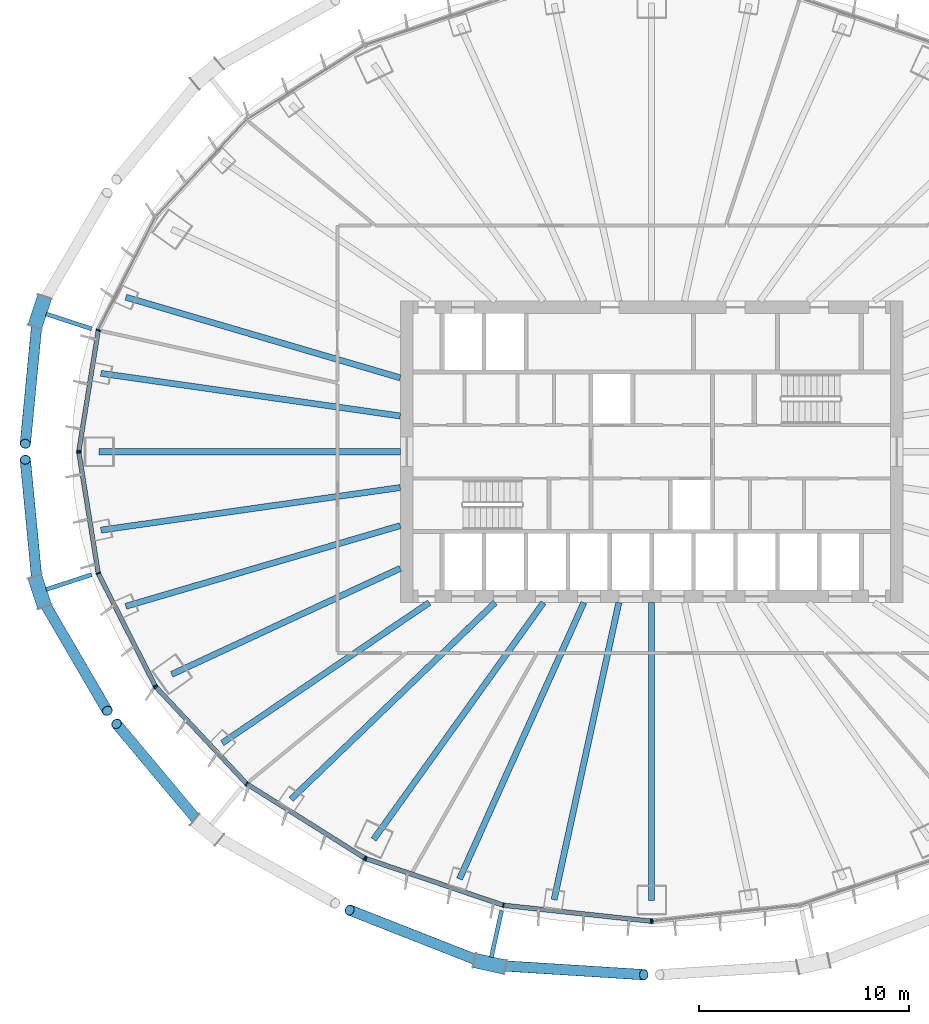
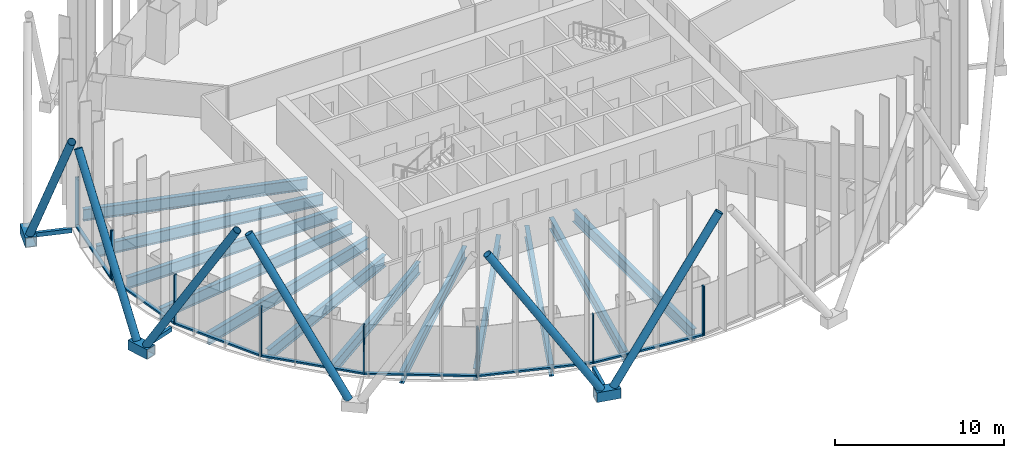
# One storey, part 2 of 19: 31 members, 12 beams, 5 elements without a shape of their own.
"""IFC4 building model written with IfcOpenShell, lengths in metres."""

from ifc_helpers import new_model, si_unit, direction, frame, origin, origin_2d, place, context, subcontext, project, spatial, rectangle, hollow_rectangle, hollow_circle, i_section, extrude, material, layer, layer_set, material_profile, profile_set, type_object, element, aggregate, save


model = new_model("IFC4")

# Units and contexts
model_context = context("Model", 3, precision=1e-05, world=origin(), true_north=direction((0.0, 1.0)))
body_context = subcontext(model_context, "Body", "Model", "MODEL_VIEW")
ifc_project = project(units=[si_unit("LENGTHUNIT", "METRE"), si_unit("AREAUNIT", "SQUARE_METRE"), si_unit("VOLUMEUNIT", "CUBIC_METRE"), si_unit("PLANEANGLEUNIT", "RADIAN"), si_unit("MASSUNIT", "GRAM", prefix="KILO")], contexts=[model_context])

# Site, building, storey
site_placement = place(None, origin())
site = spatial("IfcSite", under=ifc_project, at=site_placement, CompositionType="ELEMENT")
building_placement = place(site_placement, origin())
building = spatial("IfcBuilding", under=site, at=building_placement, Name="Siaravel Broadcast Tower", CompositionType="ELEMENT")
storey_placement = place(building_placement, frame((0.0, 0.0, 59.300048828125)))
storey = spatial("IfcBuildingStorey", under=building, at=storey_placement, Name="L13", CompositionType="ELEMENT", Elevation=59.300048828125)

# Beams
ifc_material_1 = material(Name="Steel S355", Category="steel")
ifc_material_profile_1 = material_profile(ifc_material_1, i_section(OverallWidth=0.291748046875, OverallDepth=0.8349609375, WebThickness=0.013916015625, FlangeThickness=0.018798828125, FilletRadius=0.017822265625, at=origin_2d()))
ifc_profile_set_1 = profile_set([ifc_material_profile_1], Name="Steel S355")
beam_type = type_object("IfcBeamType", Name="BM-UB 838x292x176", PredefinedType="BEAM", material=ifc_profile_set_1)
beam_1_placement = place(storey_placement, frame((-25.100830078125, 7.37646484375, -0.567626953125), z_axis=(0.959431527, -0.281941741, 0.0), x_axis=(0.281941741, 0.959431527, 0.0)))
element("IfcBeam", 1, at=beam_1_placement, inside=storey, type_object=beam_type, Name="Radial beam RB17", PredefinedType="BEAM", context=body_context, shape_type="SweptSolid", body=[
    extrude(i_section(OverallWidth=0.291748046875, OverallDepth=0.8349609375, WebThickness=0.013916015625, FlangeThickness=0.018798828125, FilletRadius=0.017822265625, at=origin_2d()), origin(), (0.0, 0.0, 1.0), 13.65478515625),
])
beam_2_placement = place(storey_placement, frame((-26.2900390625, 3.74169921875, -0.567626953125), z_axis=(0.990024453, -0.140895642, 0.0), x_axis=(0.140895642, 0.990024453, 0.0)))
element("IfcBeam", 2, at=beam_2_placement, inside=storey, type_object=beam_type, Name="Radial beam RB18", PredefinedType="BEAM", context=body_context, shape_type="SweptSolid", body=[
    extrude(i_section(OverallWidth=0.291748046875, OverallDepth=0.8349609375, WebThickness=0.013916015625, FlangeThickness=0.018798828125, FilletRadius=0.017822265625, at=origin_2d()), origin(), (0.0, 0.0, 1.0), 14.43408203125),
])
beam_3_placement = place(storey_placement, frame((-26.389892578125, 0.0, -0.567626953125), z_axis=(1.0, 0.0, 0.0), x_axis=(0.0, 1.0, 0.0)))
element("IfcBeam", 3, at=beam_3_placement, inside=storey, type_object=beam_type, Name="Radial beam RB19", PredefinedType="BEAM", context=body_context, shape_type="SweptSolid", body=[
    extrude(i_section(OverallWidth=0.291748046875, OverallDepth=0.8349609375, WebThickness=0.013916015625, FlangeThickness=0.018798828125, FilletRadius=0.017822265625, at=origin_2d()), origin(), (0.0, 0.0, 1.0), 14.389892578125),
])
beam_4_placement = place(storey_placement, frame((-26.2900390625, -3.74169921875, -0.567626953125), z_axis=(0.990024453, 0.140895642, 0.0), x_axis=(-0.140895642, 0.990024453, 0.0)))
element("IfcBeam", 4, at=beam_4_placement, inside=storey, type_object=beam_type, Name="Radial beam RB20", PredefinedType="BEAM", context=body_context, shape_type="SweptSolid", body=[
    extrude(i_section(OverallWidth=0.291748046875, OverallDepth=0.8349609375, WebThickness=0.013916015625, FlangeThickness=0.018798828125, FilletRadius=0.017822265625, at=origin_2d()), origin(), (0.0, 0.0, 1.0), 14.43408203125),
])
beam_5_placement = place(storey_placement, frame((-25.100830078125, -7.37646484375, -0.567626953125), z_axis=(0.959431527, 0.281941741, 0.0), x_axis=(-0.281941741, 0.959431527, 0.0)))
element("IfcBeam", 5, at=beam_5_placement, inside=storey, type_object=beam_type, Name="Radial beam RB21", PredefinedType="BEAM", context=body_context, shape_type="SweptSolid", body=[
    extrude(i_section(OverallWidth=0.291748046875, OverallDepth=0.8349609375, WebThickness=0.013916015625, FlangeThickness=0.018798828125, FilletRadius=0.017822265625, at=origin_2d()), origin(), (0.0, 0.0, 1.0), 13.65478515625),
])
beam_6_placement = place(storey_placement, frame((-22.90771484375, -10.625, -0.567626953125), z_axis=(0.907166781, 0.420771234, 0.0), x_axis=(-0.420771234, 0.907166781, 0.0)))
element("IfcBeam", 6, at=beam_6_placement, inside=storey, type_object=beam_type, Name="Radial beam RB22", PredefinedType="BEAM", context=body_context, shape_type="SweptSolid", body=[
    extrude(i_section(OverallWidth=0.291748046875, OverallDepth=0.8349609375, WebThickness=0.013916015625, FlangeThickness=0.018798828125, FilletRadius=0.017822265625, at=origin_2d()), origin(), (0.0, 0.0, 1.0), 12.02392578125),
])
beam_7_placement = place(storey_placement, frame((-20.49951171875, -13.9013671875, -0.567626953125), z_axis=(0.827642334, 0.561255884, 0.0), x_axis=(-0.561255884, 0.827642334, 0.0)))
element("IfcBeam", 7, at=beam_7_placement, inside=storey, type_object=beam_type, Name="Radial beam RB23", PredefinedType="BEAM", context=body_context, shape_type="SweptSolid", body=[
    extrude(i_section(OverallWidth=0.291748046875, OverallDepth=0.8349609375, WebThickness=0.013916015625, FlangeThickness=0.018798828125, FilletRadius=0.017822265625, at=origin_2d()), origin(), (0.0, 0.0, 1.0), 11.93994140625),
])
beam_8_placement = place(storey_placement, frame((-17.217041015625, -16.590087890625, -0.567626953125), z_axis=(0.720091822, 0.693878784, 0.0), x_axis=(-0.693878784, 0.720091822, 0.0)))
element("IfcBeam", 8, at=beam_8_placement, inside=storey, type_object=beam_type, Name="Radial beam RB24", PredefinedType="BEAM", context=body_context, shape_type="SweptSolid", body=[
    extrude(i_section(OverallWidth=0.291748046875, OverallDepth=0.8349609375, WebThickness=0.013916015625, FlangeThickness=0.018798828125, FilletRadius=0.017822265625, at=origin_2d()), origin(), (0.0, 0.0, 1.0), 13.53271484375),
])
beam_9_placement = place(storey_placement, frame((-13.274658203125, -18.506103515625, -0.567626953125), z_axis=(0.582857003, 0.812574743, 0.0), x_axis=(-0.812574743, 0.582857003, 0.0)))
element("IfcBeam", 9, at=beam_9_placement, inside=storey, type_object=beam_type, Name="Radial beam RB25", PredefinedType="BEAM", context=body_context, shape_type="SweptSolid", body=[
    extrude(i_section(OverallWidth=0.291748046875, OverallDepth=0.8349609375, WebThickness=0.013916015625, FlangeThickness=0.018798828125, FilletRadius=0.017822265625, at=origin_2d()), origin(), (0.0, 0.0, 1.0), 13.9140625),
])
beam_10_placement = place(storey_placement, frame((-9.173583984375, -20.392578125, -0.567626953125), z_axis=(0.410243272, 0.911976128, 0.0), x_axis=(-0.911976128, 0.410243272, 0.0)))
element("IfcBeam", 10, at=beam_10_placement, inside=storey, type_object=beam_type, Name="Radial beam RB26", PredefinedType="BEAM", context=body_context, shape_type="SweptSolid", body=[
    extrude(i_section(OverallWidth=0.291748046875, OverallDepth=0.8349609375, WebThickness=0.013916015625, FlangeThickness=0.018798828125, FilletRadius=0.017822265625, at=origin_2d()), origin(), (0.0, 0.0, 1.0), 14.466064453125),
])
beam_11_placement = place(storey_placement, frame((-4.6591796875, -21.38330078125, -0.567626953125), z_axis=(0.212889764, 0.977076224, 0.0), x_axis=(-0.977076224, 0.212889764, 0.0)))
element("IfcBeam", 11, at=beam_11_placement, inside=storey, type_object=beam_type, Name="Radial beam RB27", PredefinedType="BEAM", context=body_context, shape_type="SweptSolid", body=[
    extrude(i_section(OverallWidth=0.291748046875, OverallDepth=0.8349609375, WebThickness=0.013916015625, FlangeThickness=0.018798828125, FilletRadius=0.017822265625, at=origin_2d()), origin(), (0.0, 0.0, 1.0), 14.51611328125),
])
beam_12_placement = place(storey_placement, frame((0.0, -21.417236328125, -0.567626953125), z_axis=(0.0, 1.0, 0.0), x_axis=(-1.0, 0.0, 0.0)))
element("IfcBeam", 12, at=beam_12_placement, inside=storey, type_object=beam_type, Name="Radial beam RB28", PredefinedType="BEAM", context=body_context, shape_type="SweptSolid", body=[
    extrude(i_section(OverallWidth=0.291748046875, OverallDepth=0.8349609375, WebThickness=0.013916015625, FlangeThickness=0.018798828125, FilletRadius=0.017822265625, at=origin_2d()), origin(), (0.0, 0.0, 1.0), 14.21728515625),
])

# Curtain wall, members
ifc_material_2 = material(Name="Aluminium 6063-T6", Category="aluminium")
ifc_layer = layer(ifc_material_2, 0.219970703125)
ifc_layer_set = layer_set([ifc_layer], Name="Aluminium 6063-T6")
curtain_wall_type = type_object("IfcCurtainWallType", Name="Unitised curtain wall, zone 1", PredefinedType="NOTDEFINED", material=ifc_layer_set)
curtain_wall_1_placement = place(storey_placement, origin())
curtain_wall_1 = element("IfcCurtainWall", 13, at=curtain_wall_1_placement, inside=storey, type_object=curtain_wall_type, Name="L13 Unitised curtain wall, zone 1 06", PredefinedType="NOTDEFINED")
ifc_material_profile_2 = material_profile(ifc_material_2, rectangle(XDim=0.219970703125, YDim=0.070068359375, at=origin_2d()))
ifc_profile_set_2 = profile_set([ifc_material_profile_2], Name="Aluminium 6063-T6")
member_type_1 = type_object("IfcMemberType", Name="CW-Z1 mullion", PredefinedType="MULLION", material=ifc_profile_set_2)
member_1_placement = place(storey_placement, frame((-26.415283203125, 5.802734375, 0.0), z_axis=(0.0, 0.0, 1.0), x_axis=(0.95117683, -0.30864646, 0.0)))
member_1 = element("IfcMember", 14, at=member_1_placement, type_object=member_type_1, Name="CW-Z1 mullion 2", PredefinedType="MULLION", context=body_context, shape_type="SweptSolid", body=[
    extrude(rectangle(XDim=0.219970703125, YDim=0.070068359375, at=origin_2d()), origin(), (0.0, 0.0, 1.0), 3.550048828125),
])
member_2_placement = place(storey_placement, frame((-27.34228515625, 0.03466796875, 0.0), z_axis=(0.0, 0.0, 1.0), x_axis=(0.987329063, -0.158686233, 0.0)))
member_2 = element("IfcMember", 15, at=member_2_placement, type_object=member_type_1, Name="CW-Z1 mullion 3", PredefinedType="MULLION", context=body_context, shape_type="SweptSolid", body=[
    extrude(rectangle(XDim=0.219970703125, YDim=0.070068359375, at=origin_2d()), origin(), (0.0, 0.0, 1.0), 3.550048828125),
])

curtain_wall_2_placement = place(storey_placement, origin())
curtain_wall_2 = element("IfcCurtainWall", 16, at=curtain_wall_2_placement, inside=storey, type_object=curtain_wall_type, Name="L13 Unitised curtain wall, zone 1 07", PredefinedType="NOTDEFINED")
member_3_placement = place(storey_placement, frame((-27.34228515625, -0.03466796875, 0.0), z_axis=(0.0, 0.0, 1.0), x_axis=(0.987329063, 0.158686233, 0.0)))
member_3 = element("IfcMember", 17, at=member_3_placement, type_object=member_type_1, Name="CW-Z1 mullion 1", PredefinedType="MULLION", context=body_context, shape_type="SweptSolid", body=[
    extrude(rectangle(XDim=0.219970703125, YDim=0.070068359375, at=origin_2d()), origin(), (0.0, 0.0, 1.0), 3.550048828125),
])
member_4_placement = place(storey_placement, frame((-26.415283203125, -5.802734375, 0.0), z_axis=(0.0, 0.0, 1.0), x_axis=(0.95117683, 0.30864646, 0.0)))
member_4 = element("IfcMember", 18, at=member_4_placement, type_object=member_type_1, Name="CW-Z1 mullion 2", PredefinedType="MULLION", context=body_context, shape_type="SweptSolid", body=[
    extrude(rectangle(XDim=0.219970703125, YDim=0.070068359375, at=origin_2d()), origin(), (0.0, 0.0, 1.0), 3.550048828125),
])
member_5_placement = place(storey_placement, frame((-23.697265625, -11.177490234375, 0.0), z_axis=(0.0, 0.0, 1.0), x_axis=(0.892391293, 0.451262428, 0.0)))
member_5 = element("IfcMember", 19, at=member_5_placement, type_object=member_type_1, Name="CW-Z1 mullion 3", PredefinedType="MULLION", context=body_context, shape_type="SweptSolid", body=[
    extrude(rectangle(XDim=0.219970703125, YDim=0.070068359375, at=origin_2d()), origin(), (0.0, 0.0, 1.0), 3.550048828125),
])

curtain_wall_3_placement = place(storey_placement, origin())
curtain_wall_3 = element("IfcCurtainWall", 20, at=curtain_wall_3_placement, inside=storey, type_object=curtain_wall_type, Name="L13 Unitised curtain wall, zone 1 08", PredefinedType="NOTDEFINED")
member_6_placement = place(storey_placement, frame((-23.657470703125, -11.234375, 0.0), z_axis=(0.0, 0.0, 1.0), x_axis=(0.729803931, 0.683656509, 0.0)))
member_6 = element("IfcMember", 21, at=member_6_placement, type_object=member_type_1, Name="CW-Z1 mullion 1", PredefinedType="MULLION", context=body_context, shape_type="SweptSolid", body=[
    extrude(rectangle(XDim=0.219970703125, YDim=0.070068359375, at=origin_2d()), origin(), (0.0, 0.0, 1.0), 3.550048828125),
])
member_7_placement = place(storey_placement, frame((-19.333984375, -15.849609375, 0.0), z_axis=(0.0, 0.0, 1.0), x_axis=(0.636217305, 0.77150991, 0.0)))
member_7 = element("IfcMember", 22, at=member_7_placement, type_object=member_type_1, Name="CW-Z1 mullion 2", PredefinedType="MULLION", context=body_context, shape_type="SweptSolid", body=[
    extrude(rectangle(XDim=0.219970703125, YDim=0.070068359375, at=origin_2d()), origin(), (0.0, 0.0, 1.0), 3.550048828125),
])
member_8_placement = place(storey_placement, frame((-13.699951171875, -19.390869140625, 0.0), z_axis=(0.0, 0.0, 1.0), x_axis=(0.532147932, 0.846651392, 0.0)))
member_8 = element("IfcMember", 23, at=member_8_placement, type_object=member_type_1, Name="CW-Z1 mullion 3", PredefinedType="MULLION", context=body_context, shape_type="SweptSolid", body=[
    extrude(rectangle(XDim=0.219970703125, YDim=0.070068359375, at=origin_2d()), origin(), (0.0, 0.0, 1.0), 3.550048828125),
])

curtain_wall_4_placement = place(storey_placement, origin())
curtain_wall_4 = element("IfcCurtainWall", 24, at=curtain_wall_4_placement, inside=storey, type_object=curtain_wall_type, Name="L13 Unitised curtain wall, zone 1 09", PredefinedType="NOTDEFINED")
member_9_placement = place(storey_placement, frame((-13.63720703125, -19.420654296875, 0.0), z_axis=(0.0, 0.0, 1.0), x_axis=(0.321299732, 0.946977551, 0.0)))
member_9 = element("IfcMember", 25, at=member_9_placement, type_object=member_type_1, Name="CW-Z1 mullion 1", PredefinedType="MULLION", context=body_context, shape_type="SweptSolid", body=[
    extrude(rectangle(XDim=0.219970703125, YDim=0.070068359375, at=origin_2d()), origin(), (0.0, 0.0, 1.0), 3.550048828125),
])
member_10_placement = place(storey_placement, frame((-7.075927734375, -21.646728515625, 0.0), z_axis=(0.0, 0.0, 1.0), x_axis=(0.215557455, 0.976491159, 0.0)))
member_10 = element("IfcMember", 26, at=member_10_placement, type_object=member_type_1, Name="CW-Z1 mullion 2", PredefinedType="MULLION", context=body_context, shape_type="SweptSolid", body=[
    extrude(rectangle(XDim=0.219970703125, YDim=0.070068359375, at=origin_2d()), origin(), (0.0, 0.0, 1.0), 3.550048828125),
])
member_11_placement = place(storey_placement, frame((-0.034912109375, -22.406005859375, 0.0), z_axis=(0.0, 0.0, 1.0), x_axis=(0.107217176, 0.994235625, 0.0)))
member_11 = element("IfcMember", 27, at=member_11_placement, type_object=member_type_1, Name="CW-Z1 mullion 3", PredefinedType="MULLION", context=body_context, shape_type="SweptSolid", body=[
    extrude(rectangle(XDim=0.219970703125, YDim=0.070068359375, at=origin_2d()), origin(), (0.0, 0.0, 1.0), 3.550048828125),
])

# Curtain wall, member
curtain_wall_5_placement = place(storey_placement, origin())
curtain_wall_5 = element("IfcCurtainWall", 28, at=curtain_wall_5_placement, inside=storey, type_object=curtain_wall_type, Name="L13 Unitised curtain wall, zone 1 10", PredefinedType="NOTDEFINED")
member_12_placement = place(storey_placement, frame((0.034912109375, -22.406005859375, 0.0), z_axis=(0.0, 0.0, 1.0), x_axis=(-0.107217176, 0.994235625, 0.0)))
member_12 = element("IfcMember", 29, at=member_12_placement, type_object=member_type_1, Name="CW-Z1 mullion 1", PredefinedType="MULLION", context=body_context, shape_type="SweptSolid", body=[
    extrude(rectangle(XDim=0.219970703125, YDim=0.070068359375, at=origin_2d()), origin(), (0.0, 0.0, 1.0), 3.550048828125),
])
aggregate(curtain_wall_5, [member_12])

# Member
ifc_material_profile_3 = material_profile(ifc_material_2, rectangle(XDim=0.219970703125, YDim=0.1201171875, at=origin_2d()))
ifc_profile_set_3 = profile_set([ifc_material_profile_3], Name="Aluminium 6063-T6")
member_type_2 = type_object("IfcMemberType", Name="CW-Z1 transom", PredefinedType="USERDEFINED", material=ifc_profile_set_3)
member_13_placement = place(storey_placement, frame((-26.420654296875, 5.768310546875, 0.06005859375), z_axis=(-0.158689875, -0.987328478, 0.0), x_axis=(0.987328478, -0.158689875, 0.0)))
member_13 = element("IfcMember", 30, at=member_13_placement, type_object=member_type_2, Name="CW-Z1 transom 2", ObjectType="TRANSOM", PredefinedType="USERDEFINED", context=body_context, shape_type="SweptSolid", body=[
    extrude(rectangle(XDim=0.219970703125, YDim=0.1201171875, at=origin_2d()), origin(), (0.0, 0.0, 1.0), 5.7724609375),
])

aggregate(curtain_wall_1, [member_1, member_2, member_13])

member_14_placement = place(storey_placement, frame((-27.336669921875, -0.069091796875, 0.06005859375), z_axis=(0.158689875, -0.987328478, 0.0), x_axis=(0.987328478, 0.158689875, 0.0)))
member_14 = element("IfcMember", 31, at=member_14_placement, type_object=member_type_2, Name="CW-Z1 transom 1", ObjectType="TRANSOM", PredefinedType="USERDEFINED", context=body_context, shape_type="SweptSolid", body=[
    extrude(rectangle(XDim=0.219970703125, YDim=0.1201171875, at=origin_2d()), origin(), (0.0, 0.0, 1.0), 5.7724609375),
])

member_15_placement = place(storey_placement, frame((-26.3994140625, -5.833984375, 0.06005859375), z_axis=(0.451293706, -0.892375477, 0.0), x_axis=(0.892375477, 0.451293706, 0.0)))
member_15 = element("IfcMember", 32, at=member_15_placement, type_object=member_type_2, Name="CW-Z1 transom 2", ObjectType="TRANSOM", PredefinedType="USERDEFINED", context=body_context, shape_type="SweptSolid", body=[
    extrude(rectangle(XDim=0.219970703125, YDim=0.1201171875, at=origin_2d()), origin(), (0.0, 0.0, 1.0), 5.952880859375),
])

aggregate(curtain_wall_2, [member_3, member_4, member_5, member_14, member_15])

member_16_placement = place(storey_placement, frame((-23.633544921875, -11.259765625, 0.06005859375), z_axis=(0.683638503, -0.729820798, 0.0), x_axis=(0.729820798, 0.683638503, 0.0)))
member_16 = element("IfcMember", 33, at=member_16_placement, type_object=member_type_2, Name="CW-Z1 transom 1", ObjectType="TRANSOM", PredefinedType="USERDEFINED", context=body_context, shape_type="SweptSolid", body=[
    extrude(rectangle(XDim=0.219970703125, YDim=0.1201171875, at=origin_2d()), origin(), (0.0, 0.0, 1.0), 6.25390625),
])

member_17_placement = place(storey_placement, frame((-19.304443359375, -15.8681640625, 0.06005859375), z_axis=(0.846643708, -0.532160155, 0.0), x_axis=(0.532160155, 0.846643708, 0.0)))
member_17 = element("IfcMember", 34, at=member_17_placement, type_object=member_type_2, Name="CW-Z1 transom 2", ObjectType="TRANSOM", PredefinedType="USERDEFINED", context=body_context, shape_type="SweptSolid", body=[
    extrude(rectangle(XDim=0.219970703125, YDim=0.1201171875, at=origin_2d()), origin(), (0.0, 0.0, 1.0), 6.584716796875),
])

aggregate(curtain_wall_3, [member_6, member_7, member_8, member_16, member_17])

member_18_placement = place(storey_placement, frame((-13.60400390625, -19.431884765625, 0.06005859375), z_axis=(0.946978894, -0.321295775, 0.0), x_axis=(0.321295775, 0.946978894, 0.0)))
member_18 = element("IfcMember", 35, at=member_18_placement, type_object=member_type_2, Name="CW-Z1 transom 1", ObjectType="TRANSOM", PredefinedType="USERDEFINED", context=body_context, shape_type="SweptSolid", body=[
    extrude(rectangle(XDim=0.219970703125, YDim=0.1201171875, at=origin_2d()), origin(), (0.0, 0.0, 1.0), 6.8583984375),
])

member_19_placement = place(storey_placement, frame((-7.041015625, -21.650634765625, 0.06005859375), z_axis=(0.994236875, -0.10720558, 0.0), x_axis=(0.10720558, 0.994236875, 0.0)))
member_19 = element("IfcMember", 36, at=member_19_placement, type_object=member_type_2, Name="CW-Z1 transom 2", ObjectType="TRANSOM", PredefinedType="USERDEFINED", context=body_context, shape_type="SweptSolid", body=[
    extrude(rectangle(XDim=0.219970703125, YDim=0.1201171875, at=origin_2d()), origin(), (0.0, 0.0, 1.0), 7.011962890625),
])

aggregate(curtain_wall_4, [member_9, member_10, member_11, member_18, member_19])

# Members
ifc_material_3 = material(Name="Steel S460", Category="steel")
ifc_material_profile_4 = material_profile(ifc_material_3, hollow_circle(Radius=0.25390625, WallThickness=0.02001953125, at=origin_2d()))
ifc_profile_set_4 = profile_set([ifc_material_profile_4], Name="Steel S460")
member_type_3 = type_object("IfcMemberType", Name="Diagrid diagonal CHS 508x20", PredefinedType="BRACE", material=ifc_profile_set_4)
for number, where, z_axis, x_axis, name in (
    (37, (-29.327880859375, 6.31640625, 0.119873046875), (-0.047324004, -0.493069888, 0.868701631), (0.995425664, -0.095539251, 0.0), "Diagrid diagonal R06 station 33A"),
    (38, (-29.327880859375, -6.31640625, 0.119873046875), (-0.047324004, 0.493069888, 0.868701631), (-0.995425664, -0.095539251, 0.0), "Diagrid diagonal R06 station 39C"),
):
    element("IfcMember", number, at=place(storey_placement, frame(where, z_axis=z_axis, x_axis=x_axis)), inside=storey, type_object=member_type_3, Name=name, PredefinedType="BRACE", context=body_context, shape_type="SweptSolid", body=[
        extrude(hollow_circle(Radius=0.25390625, WallThickness=0.02001953125, at=origin_2d()), origin(), (0.0, 0.0, 1.0), 12.041015625),
    ])
member_20_placement = place(storey_placement, frame((-29.091796875, -7.03759765625, 0.119873046875), z_axis=(0.25587912, -0.438922755, 0.861320319), x_axis=(0.863915209, 0.503637282, 0.0)))
element("IfcMember", 39, at=member_20_placement, inside=storey, type_object=member_type_3, Name="Diagrid diagonal R06 station 39A", PredefinedType="BRACE", context=body_context, shape_type="SweptSolid", body=[
    extrude(hollow_circle(Radius=0.25390625, WallThickness=0.02001953125, at=origin_2d()), origin(), (0.0, 0.0, 1.0), 12.14404296875),
])
member_21_placement = place(storey_placement, frame((-21.51513671875, -17.80419921875, 0.119873046875), z_axis=(-0.330464739, 0.394736779, 0.857307373), x_axis=(-0.766769686, -0.641922308, 0.0)))
element("IfcMember", 40, at=member_21_placement, inside=storey, type_object=member_type_3, Name="Diagrid diagonal R06 station 45C", PredefinedType="BRACE", context=body_context, shape_type="SweptSolid", body=[
    extrude(hollow_circle(Radius=0.25390625, WallThickness=0.02001953125, at=origin_2d()), origin(), (0.0, 0.0, 1.0), 12.200927734375),
])
member_22_placement = place(storey_placement, frame((-8.092529296875, -24.360107421875, 0.119873046875), z_axis=(-0.507081443, 0.199078448, 0.838591785), x_axis=(-0.365442263, -0.930834009, 0.0)))
element("IfcMember", 41, at=member_22_placement, inside=storey, type_object=member_type_3, Name="Diagrid diagonal R06 station 51C", PredefinedType="BRACE", context=body_context, shape_type="SweptSolid", body=[
    extrude(hollow_circle(Radius=0.25390625, WallThickness=0.02001953125, at=origin_2d()), origin(), (0.0, 0.0, 1.0), 12.47314453125),
])
member_23_placement = place(storey_placement, frame((-7.351318359375, -24.522705078125, 0.119873046875), z_axis=(0.554288775, -0.034763147, 0.831598147), x_axis=(0.06259369, 0.998039092, 0.0)))
element("IfcMember", 42, at=member_23_placement, inside=storey, type_object=member_type_3, Name="Diagrid diagonal R06 station 51A", PredefinedType="BRACE", context=body_context, shape_type="SweptSolid", body=[
    extrude(hollow_circle(Radius=0.25390625, WallThickness=0.02001953125, at=origin_2d()), origin(), (0.0, 0.0, 1.0), 12.578125),
])
ifc_material_profile_5 = material_profile(ifc_material_3, hollow_rectangle(XDim=0.699951171875, YDim=0.699951171875, WallThickness=0.0400390625, at=origin_2d()))
ifc_profile_set_5 = profile_set([ifc_material_profile_5], Name="Steel S460")
member_type_4 = type_object("IfcMemberType", Name="Diagrid node BOX 700x700x40", PredefinedType="USERDEFINED", material=ifc_profile_set_5)
for number, where, z_axis, x_axis, name in (
    (43, (-28.9755859375, 7.39306640625, -0.199951171875), (-0.31092464, -0.950434568, 0.0), (0.950434568, -0.31092464, 0.0), "Diagrid node R06 station 33"),
    (44, (-29.444091796875, -5.9609375, -0.199951171875), (0.31092464, -0.950434568, 0.0), (0.950434568, 0.31092464, 0.0), "Diagrid node R06 station 39"),
    (45, (-8.4580078125, -24.280029296875, -0.199951171875), (0.976759236, -0.214339438, 0.0), (0.214339438, 0.976759236, 0.0), "Diagrid node R06 station 51"),
):
    element("IfcMember", number, at=place(storey_placement, frame(where, z_axis=z_axis, x_axis=x_axis)), inside=storey, type_object=member_type_4, Name=name, ObjectType="DIAGRID NODE", PredefinedType="USERDEFINED", context=body_context, shape_type="SweptSolid", body=[
        extrude(hollow_rectangle(XDim=0.699951171875, YDim=0.699951171875, WallThickness=0.0400390625, at=origin_2d()), origin(), (0.0, 0.0, 1.0), 1.5068359375),
    ])
ifc_material_profile_6 = material_profile(ifc_material_3, hollow_rectangle(XDim=0.199951171875, YDim=0.300048828125, WallThickness=0.012451171875, at=origin_2d()))
ifc_profile_set_6 = profile_set([ifc_material_profile_6], Name="Steel S460")
member_type_5 = type_object("IfcMemberType", Name="Diagrid node arm RHS 300x200x12.5", PredefinedType="STRUT", material=ifc_profile_set_6)
for number, where, z_axis, x_axis, name in (
    (46, (-26.73876953125, 5.86865234375, -0.199951171875), (-0.950456392, 0.310857921, 0.0), (-0.310857921, -0.950456392, 0.0), "Node arm R06 station 33"),
    (47, (-26.73876953125, -5.86865234375, -0.199951171875), (-0.950456392, -0.310857921, 0.0), (0.310857921, -0.950456392, 0.0), "Node arm R06 station 39"),
):
    element("IfcMember", number, at=place(storey_placement, frame(where, z_axis=z_axis, x_axis=x_axis)), inside=storey, type_object=member_type_5, Name=name, PredefinedType="STRUT", context=body_context, shape_type="SweptSolid", body=[
        extrude(hollow_rectangle(XDim=0.199951171875, YDim=0.300048828125, WallThickness=0.012451171875, at=origin_2d()), origin(), (0.0, 0.0, 1.0), 2.280029296875),
    ])
member_24_placement = place(storey_placement, frame((-7.16455078125, -21.902099609375, -0.199951171875), z_axis=(-0.214389852, -0.976748172, 0.0), x_axis=(0.976748172, -0.214389852, 0.0)))
element("IfcMember", 48, at=member_24_placement, inside=storey, type_object=member_type_5, Name="Node arm R06 station 51", PredefinedType="STRUT", context=body_context, shape_type="SweptSolid", body=[
    extrude(hollow_rectangle(XDim=0.199951171875, YDim=0.300048828125, WallThickness=0.012451171875, at=origin_2d()), origin(), (0.0, 0.0, 1.0), 2.27978515625),
])

save(model, "model.ifc")
